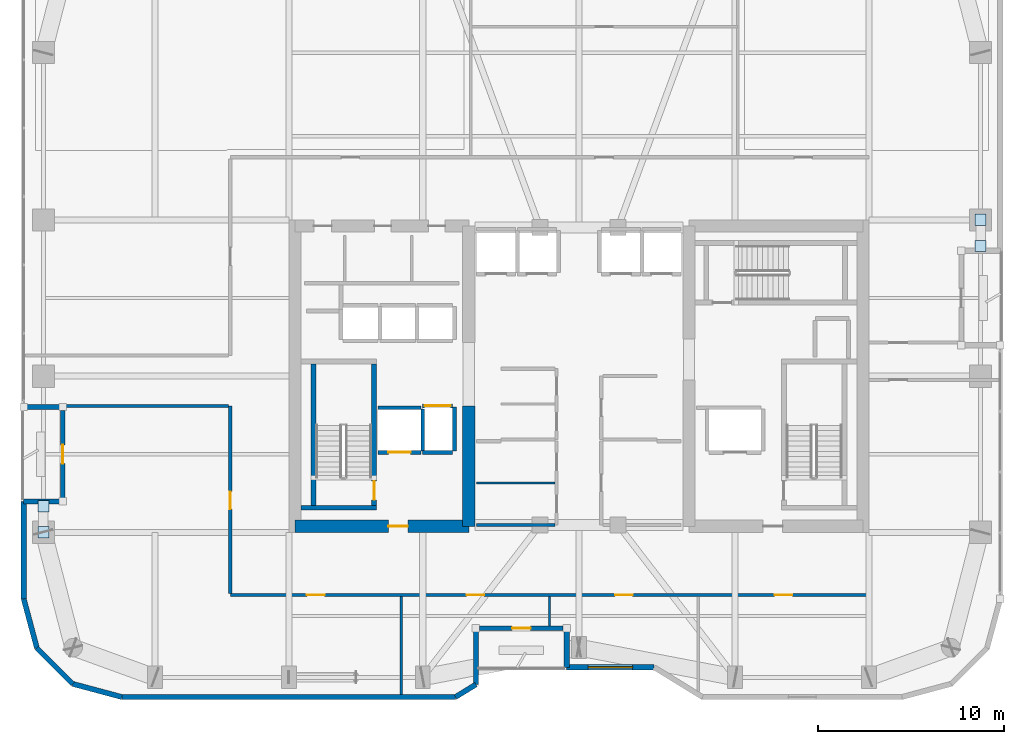
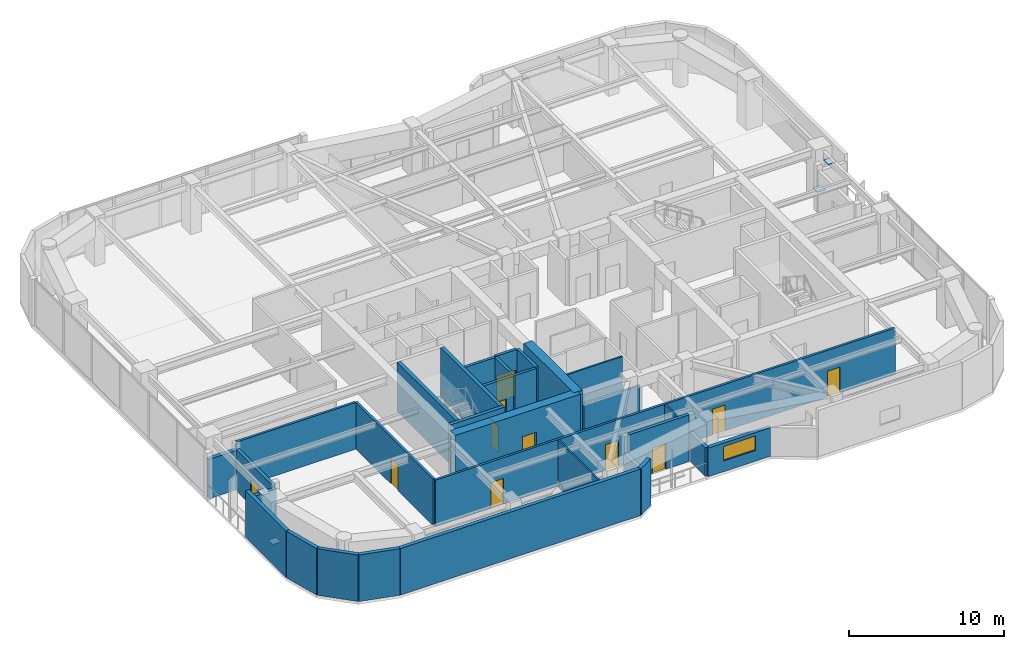
# One storey, part 24 of 30: 31 walls, 11 doors, 4 plates, 1 window, 12 openings.
"""IFC4 building model written with IfcOpenShell, lengths in metres."""

import ifcopenshell
import ifcopenshell.guid

model = None  # the IFC model being written
_history = None  # IfcOwnerHistory: only IFC2X3 demands one
_inside = {}  # id of a spatial element -> (the spatial element, [elements in it])
_under = {}  # id of a project, library or spatial element -> (it, [spatial elements below it])
_declared = {}  # id of a project -> (the project, [libraries it declares])
_typed = {}  # id of a type object -> (the type object, [elements of that type])
_made_of = {}  # id of a material, layer set ... -> (it, [elements and type objects made of it])


def new_model(schema):
    """Start an empty IFC model of exactly this schema.

    Asked for "IFC4X3", IfcOpenShell would pick the latest addendum, in which some entities
    have other attributes; the version numbers below select the first issue.
    IFC2X3 requires an IfcOwnerHistory on every rooted entity: one is made here for all.
    """
    global model, _history
    if schema == "IFC4X3":
        model = ifcopenshell.file(schema_version=(4, 3, 0, 0))
    else:
        model = ifcopenshell.file(schema=schema)
    _inside.clear()
    _under.clear()
    _declared.clear()
    _typed.clear()
    _made_of.clear()
    _history = None
    if model.schema == "IFC2X3":
        org = make("IfcOrganization", Name="unknown")
        user = make(
            "IfcPersonAndOrganization",
            ThePerson=make("IfcPerson", FamilyName="unknown"),
            TheOrganization=org,
        )
        app = make(
            "IfcApplication",
            ApplicationDeveloper=org,
            Version="unknown",
            ApplicationFullName="unknown",
            ApplicationIdentifier="unknown",
        )
        _history = make(
            "IfcOwnerHistory",
            OwningUser=user,
            OwningApplication=app,
            ChangeAction="ADDED",
            CreationDate=0,
        )
    return model


def make(cls, **values):
    """One entity of the class cls with the attributes given. An attribute that is None is left unset."""
    return model.create_entity(
        cls, **{name: value for name, value in values.items() if value is not None}
    )


def rooted(cls, **values):
    """An entity with a GlobalId (a new one), such as an element, a storey or a relation."""
    return make(cls, GlobalId=ifcopenshell.guid.new(), OwnerHistory=_history, **values)


def si_unit(unit_type, name, prefix=None):
    """IfcSIUnit, for example si_unit("LENGTHUNIT", "METRE", prefix="MILLI")."""
    return make("IfcSIUnit", UnitType=unit_type, Prefix=prefix, Name=name)


def assignment(units):
    """IfcUnitAssignment: the units of a project."""
    return None if units is None else make("IfcUnitAssignment", Units=units)


def point(xyz):
    """IfcCartesianPoint."""
    return None if xyz is None else make("IfcCartesianPoint", Coordinates=xyz)


def direction(xyz):
    """IfcDirection."""
    return None if xyz is None else make("IfcDirection", DirectionRatios=xyz)


def frame(location, z_axis=None, x_axis=None):
    """IfcAxis2Placement3D, a coordinate frame: its origin and axes. An axis left out is left unset."""
    return make(
        "IfcAxis2Placement3D",
        Location=point(location),
        Axis=direction(z_axis),
        RefDirection=direction(x_axis),
    )


def frame_2d(location, x_axis=None):
    """IfcAxis2Placement2D, a coordinate frame in the plane: its origin and x axis."""
    return make(
        "IfcAxis2Placement2D", Location=point(location), RefDirection=direction(x_axis)
    )


def origin():
    """The frame at (0, 0, 0) with its axes left unset."""
    return frame((0.0, 0.0, 0.0))


def origin_2d():
    """The frame at (0, 0) in the plane with its x axis left unset."""
    return frame_2d((0.0, 0.0))


def place(relative_to, where):
    """IfcLocalPlacement: puts the frame where relative to a parent placement (None: the world)."""
    return make(
        "IfcLocalPlacement", PlacementRelTo=relative_to, RelativePlacement=where
    )


def context(
    kind, dimensions, precision=None, world=None, true_north=None, identifier=None
):
    """IfcGeometricRepresentationContext, for example the 3D "Model" context."""
    return make(
        "IfcGeometricRepresentationContext",
        ContextIdentifier=identifier,
        ContextType=kind,
        CoordinateSpaceDimension=dimensions,
        Precision=precision,
        WorldCoordinateSystem=world,
        TrueNorth=true_north,
    )


def subcontext(parent, identifier, kind, view, scale=None):
    """IfcGeometricRepresentationSubContext, for example "Body" below "Model"."""
    return make(
        "IfcGeometricRepresentationSubContext",
        ContextIdentifier=identifier,
        ContextType=kind,
        ParentContext=parent,
        TargetScale=scale,
        TargetView=view,
    )


def project(units=None, contexts=None):
    """IfcProject with its units and contexts."""
    return rooted(
        "IfcProject",
        Name="project",
        RepresentationContexts=contexts,
        UnitsInContext=assignment(units),
    )


def spatial(cls, under=None, at=None, **own):
    """A site, building, storey or space (cls), placed at a placement, below another one or the project."""
    s = rooted(cls, ObjectPlacement=at, **own)
    if under is not None:
        _under.setdefault(under.id(), (under, []))[1].append(s)
    return s


def profile(cls, at=None, kind="AREA", **sizes):
    """A parametric profile (cls). Its sizes go by their IFC names, for example OverallWidth=200.0."""
    return make(cls, ProfileType=kind, Position=at, **sizes)


def rectangle(**sizes):
    """IfcRectangleProfileDef."""
    return profile("IfcRectangleProfileDef", **sizes)


def extrude(swept, where, along, depth):
    """IfcExtrudedAreaSolid: the profile swept, set in the frame where, extruded along a direction by depth."""
    return make(
        "IfcExtrudedAreaSolid",
        SweptArea=swept,
        Position=where,
        ExtrudedDirection=direction(along),
        Depth=depth,
    )


def shape(context_of_items, identifier, shape_type, items):
    """IfcShapeRepresentation: the items that make up one representation, for example the "Body"."""
    return make(
        "IfcShapeRepresentation",
        ContextOfItems=context_of_items,
        RepresentationIdentifier=identifier,
        RepresentationType=shape_type,
        Items=items,
    )


def material(Name=None, Category=None):
    """IfcMaterial."""
    return make("IfcMaterial", Name=Name, Category=Category)


def layer(
    of_material, thickness, ventilated=None, Name=None, Category=None, Priority=None
):
    """IfcMaterialLayer: one layer of a wall or slab, of a material (None: an air gap)."""
    return make(
        "IfcMaterialLayer",
        Material=of_material,
        LayerThickness=thickness,
        IsVentilated=ventilated,
        Name=Name,
        Category=Category,
        Priority=Priority,
    )


def layer_set(layers, Name=None):
    """IfcMaterialLayerSet."""
    return make("IfcMaterialLayerSet", MaterialLayers=layers, LayerSetName=Name)


def made_of(thing, what):
    """Note that an element or type object is made of a material, layer set ...; save() writes the relation."""
    if what is not None:
        _made_of.setdefault(what.id(), (what, []))[1].append(thing)
    return thing


def type_object(cls, material=None, **own):
    """A type object (cls), such as IfcWallType, which elements share."""
    return made_of(rooted(cls, **own), material)


def element(
    cls,
    number,
    at=None,
    inside=None,
    cuts=None,
    type_object=None,
    material=None,
    context=None,
    identifier="Body",
    shape_type=None,
    held_by="IfcProductDefinitionShape",
    body=None,
    shapes=None,
    **own,
):
    """One element of the class cls, such as IfcWall. Its Tag is "e" and its number.

    at: its placement. inside: the storey or other place that contains it. cuts: it is an
    opening in that element (IfcRelVoidsElement). A single representation is given by context,
    identifier, shape_type and body (its items); several are given by shapes. held_by: the class
    of the entity that holds the representations. save() writes the other relations.
    """
    e = rooted(cls, Tag="e%d" % number, ObjectPlacement=at, **own)
    if body is not None:
        shapes = [shape(context, identifier, shape_type, body)]
    if shapes is not None:
        e.Representation = make(held_by, Representations=shapes)
    if inside is not None:
        _inside.setdefault(inside.id(), (inside, []))[1].append(e)
    if cuts is not None:
        rooted(
            "IfcRelVoidsElement", RelatingBuildingElement=cuts, RelatedOpeningElement=e
        )
    if type_object is not None:
        _typed.setdefault(type_object.id(), (type_object, []))[1].append(e)
    return made_of(e, material)


def fill(opening, filler):
    """IfcRelFillsElement: the door or window that sits in an opening."""
    return rooted(
        "IfcRelFillsElement",
        RelatingOpeningElement=opening,
        RelatedBuildingElement=filler,
    )


def aggregate(whole, parts):
    """IfcRelAggregates: a whole, such as a stair, and the parts it consists of."""
    return rooted("IfcRelAggregates", RelatingObject=whole, RelatedObjects=parts)


def save(model, path):
    """Write the relations noted so far, then the file.

    IfcRelAggregates (storeys below a building ...), IfcRelContainedInSpatialStructure (elements
    in a storey), IfcRelDefinesByType, IfcRelAssociatesMaterial and IfcRelDeclares: one each for
    every whole, place, type object, material and project.
    """
    for whole, parts in _under.values():
        aggregate(whole, parts)
    for where, things in _inside.values():
        rooted(
            "IfcRelContainedInSpatialStructure",
            RelatedElements=things,
            RelatingStructure=where,
        )
    for kind, things in _typed.values():
        rooted("IfcRelDefinesByType", RelatedObjects=things, RelatingType=kind)
    for what, things in _made_of.values():
        rooted("IfcRelAssociatesMaterial", RelatedObjects=things, RelatingMaterial=what)
    for by, libraries in _declared.values():
        rooted("IfcRelDeclares", RelatingContext=by, RelatedDefinitions=libraries)
    model.write(path)


model = new_model("IFC4")

# Units and contexts
model_context = context("Model", 3, precision=1e-05, world=origin(), true_north=direction((0.0, 1.0)))
body_context = subcontext(model_context, "Body", "Model", "MODEL_VIEW")
ifc_project = project(units=[si_unit("LENGTHUNIT", "METRE"), si_unit("AREAUNIT", "SQUARE_METRE"), si_unit("VOLUMEUNIT", "CUBIC_METRE"), si_unit("PLANEANGLEUNIT", "RADIAN"), si_unit("MASSUNIT", "GRAM", prefix="KILO")], contexts=[model_context])

# Site, building, storey
site_placement = place(None, origin())
site = spatial("IfcSite", under=ifc_project, at=site_placement, CompositionType="ELEMENT")
building_placement = place(site_placement, origin())
building = spatial("IfcBuilding", under=site, at=building_placement, Name="Kiyonajd Concourse Tower", CompositionType="ELEMENT")
storey_placement = place(building_placement, frame((0.0, 0.0, 198.0)))
storey = spatial("IfcBuildingStorey", under=building, at=storey_placement, Name="L50", CompositionType="ELEMENT", Elevation=198.0)

# Plates
ifc_material_1 = material(Name="Steel ASTM A572 Grade 50", Category="steel")
ifc_layer_1 = layer(ifc_material_1, 0.028076171875)
ifc_layer_set_1 = layer_set([ifc_layer_1], Name="Steel ASTM A572 Grade 50")
plate_type = type_object("IfcPlateType", Name="PL-CAP-450", PredefinedType="USERDEFINED", material=ifc_layer_set_1)
for number, where, z_axis, x_axis, name in (
    (1, (19.199951171875, 27.595458984375, 0.27587890625), (0.0, 0.0, 1.0), (1.0, 0.0, 0.0), "L50 Hollow Brace End Cap Plate PBW"),
    (2, (19.199951171875, 29.004638671875, 3.326171875), (0.0, 0.0, 1.0), (1.0, 0.0, 0.0), "L50 Hollow Brace Top Cap Plate PBW"),
    (3, (69.60009765625, 44.404541015625, 0.27587890625), (0.0, 0.0, 1.0), (1.0, 0.0, 0.0), "L50 Hollow Brace End Cap Plate PBE"),
    (4, (69.60009765625, 42.995361328125, 3.326171875), (0.0, 0.0, 1.0), (1.0, 0.0, 0.0), "L50 Hollow Brace Top Cap Plate PBE"),
):
    element("IfcPlate", number, at=place(storey_placement, frame(where, z_axis=z_axis, x_axis=x_axis)), inside=storey, type_object=plate_type, Name=name, ObjectType="CAP PLATE", PredefinedType="USERDEFINED", context=body_context, shape_type="SweptSolid", body=[
        extrude(rectangle(XDim=0.60791015625, YDim=0.60791015625, at=origin_2d()), origin(), (0.0, 0.0, 1.0), 0.028076171875),
    ])

# Wall
ifc_material_2 = material(Name="Concrete C60/75", Category="concrete")
ifc_layer_2 = layer(ifc_material_2, 0.64990234375)
ifc_layer_set_2 = layer_set([ifc_layer_2], Name="Concrete C60/75")
wall_type_1 = type_object("IfcWallType", Name="WL-CORE-650", PredefinedType="SHEAR", material=ifc_layer_set_2)
wall_1_placement = place(storey_placement, frame((42.074951171875, 27.925048828125, 0.0), z_axis=(0.0, 0.0, 1.0), x_axis=(0.0, 1.0, 0.0)))
element("IfcWall", 5, at=wall_1_placement, inside=storey, type_object=wall_type_1, Name="L50 West Core Inner South Shear Wall", PredefinedType="SHEAR", context=body_context, shape_type="SweptSolid", body=[
    extrude(rectangle(XDim=6.474853515625, YDim=0.64990234375, at=frame_2d((3.2373046875, 0.0))), origin(), (0.0, 0.0, 1.0), 3.89990234375),
])

# Wall, opening, door
wall_2_placement = place(storey_placement, frame((32.72509765625, 27.925048828125, 0.0), z_axis=(0.0, 0.0, 1.0), x_axis=(1.0, 0.0, 0.0)))
wall_2 = element("IfcWall", 6, at=wall_2_placement, inside=storey, type_object=wall_type_1, Name="L50 West Core South Shear Wall", PredefinedType="SHEAR", context=body_context, shape_type="SweptSolid", body=[
    extrude(rectangle(XDim=9.349853515625, YDim=0.64990234375, at=frame_2d((4.6748046875, 0.0))), origin(), (0.0, 0.0, 1.0), 3.89990234375),
])
opening_1_placement = place(wall_2_placement, frame((5.02490234375, 0.0, 0.0)))
opening_1 = element("IfcOpeningElement", 7, at=opening_1_placement, cuts=wall_2, Name="Opening DF5", PredefinedType="OPENING", context=body_context, shape_type="SweptSolid", body=[
    extrude(rectangle(XDim=1.050048828125, YDim=2.0400390625, at=frame_2d((0.52490234375, 1.02001953125))), frame((0.0, 0.3349609375, 0.0), z_axis=(0.0, -1.0, 0.0), x_axis=(1.0, 0.0, 0.0)), (0.0, 0.0, 1.0), 0.669921875),
])
ifc_material_3 = material(Name="Brushed Stainless Steel Cab Assembly", Category="steel")
door_type_1 = type_object("IfcDoorType", Name="DR-FD45-1050", OperationType="NOTDEFINED", PredefinedType="DOOR", material=ifc_material_3)
door_1_placement = place(opening_1_placement, origin())
door_1 = element("IfcDoor", 8, at=door_1_placement, inside=storey, type_object=door_type_1, Name="L50 Firefighting Lift Lobby W Smoke Door", OperationType="SINGLE_SWING_LEFT", OverallHeight=2.0400390625, OverallWidth=1.050048828125, PredefinedType="DOOR", context=body_context, shape_type="SweptSolid", body=[
    extrude(rectangle(XDim=1.050048828125, YDim=2.0400390625, at=frame_2d((0.52490234375, 1.02001953125))), frame((0.0, 0.02490234375, 0.0), z_axis=(0.0, -1.0, 0.0), x_axis=(1.0, 0.0, 0.0)), (0.0, 0.0, 1.0), 0.050048828125),
])
fill(opening_1, door_1)

# Walls
ifc_material_4 = material(Name="Precast concrete C50/60", Category="concrete")
ifc_layer_3 = layer(ifc_material_4, 0.280029296875)
ifc_layer_set_3 = layer_set([ifc_layer_3], Name="Precast concrete C50/60")
wall_type_2 = type_object("IfcWallType", Name="WL-EXT-280", PredefinedType="SOLIDWALL", material=ifc_layer_set_3)
wall_3_placement = place(storey_placement, frame((18.848388671875, 21.37255859375, 0.0), z_axis=(0.0, 0.0, 1.0), x_axis=(-0.258672222976, 0.9659651552, 0.0)))
element("IfcWall", 9, at=wall_3_placement, inside=storey, type_object=wall_type_2, Name="L50 Exterior Concrete Frame Wall 00", PredefinedType="SOLIDWALL", context=body_context, shape_type="SweptSolid", body=[
    extrude(rectangle(XDim=2.739013671875, YDim=0.280029296875, at=frame_2d((1.36962890625, 0.0))), origin(), (0.0, 0.0, 1.0), 3.679931640625),
])
wall_4_placement = place(storey_placement, frame((18.139892578125, 24.018310546875, 0.0), z_axis=(0.0, 0.0, 1.0), x_axis=(0.0, 1.0, 0.0)))
element("IfcWall", 10, at=wall_4_placement, inside=storey, type_object=wall_type_2, Name="L50 Exterior Concrete Frame Wall 01", PredefinedType="SOLIDWALL", context=body_context, shape_type="SweptSolid", body=[
    extrude(rectangle(XDim=5.24169921875, YDim=0.280029296875, at=frame_2d((2.620849609375, 0.0))), origin(), (0.0, 0.0, 1.0), 3.679931640625),
])
for number, where, z_axis, x_axis, name in (
    (11, (18.139892578125, 29.260009765625, 0.0), (0.0, 0.0, 1.0), (1.0, 0.0, 0.0), "L50 Exterior Concrete Frame Wall 02"),
    (12, (20.239990234375, 34.340087890625, 0.0), (0.0, 0.0, 1.0), (-1.0, 0.0, 0.0), "L50 Exterior Concrete Frame Wall 04"),
):
    element("IfcWall", number, at=place(storey_placement, frame(where, z_axis=z_axis, x_axis=x_axis)), inside=storey, type_object=wall_type_2, Name=name, PredefinedType="SOLIDWALL", context=body_context, shape_type="SweptSolid", body=[
        extrude(rectangle(XDim=2.10009765625, YDim=0.280029296875, at=frame_2d((1.050048828125, 0.0))), origin(), (0.0, 0.0, 1.0), 3.115966796875),
    ])

# Wall, opening, window
wall_5_placement = place(storey_placement, frame((52.03955078125, 20.340087890625, 0.0), z_axis=(0.0, 0.0, 1.0), x_axis=(-1.0, 0.0, 0.0)))
wall_5 = element("IfcWall", 13, at=wall_5_placement, inside=storey, type_object=wall_type_2, Name="L50 Exterior Concrete Frame Wall 30", PredefinedType="SOLIDWALL", context=body_context, shape_type="SweptSolid", body=[
    extrude(rectangle(XDim=4.699462890625, YDim=0.280029296875, at=frame_2d((2.349609375, 0.0))), origin(), (0.0, 0.0, 1.0), 2.264892578125),
])
opening_2_placement = place(wall_5_placement, frame((1.14990234375, 0.0, 0.85009765625)))
opening_2 = element("IfcOpeningElement", 14, at=opening_2_placement, cuts=wall_5, Name="Opening WN4", PredefinedType="OPENING", context=body_context, shape_type="SweptSolid", body=[
    extrude(rectangle(XDim=2.39990234375, YDim=1.14990234375, at=frame_2d((1.199951171875, 0.574951171875))), frame((0.0, 0.14990234375, 0.0), z_axis=(0.0, -1.0, 0.0), x_axis=(1.0, 0.0, 0.0)), (0.0, 0.0, 1.0), 0.300048828125),
])
ifc_material_5 = material(Name="Double Low-E Insulated Glass", Category="glass")
window_type = type_object("IfcWindowType", Name="WN-VIS-2400x1150", PartitioningType="SINGLE_PANEL", PredefinedType="WINDOW", material=ifc_material_5)
window_placement = place(opening_2_placement, origin())
window = element("IfcWindow", 15, at=window_placement, inside=storey, type_object=window_type, Name="L50 Modular Facade Vision Window 30", OverallHeight=1.14990234375, OverallWidth=2.39990234375, PartitioningType="SINGLE_PANEL", PredefinedType="WINDOW", context=body_context, shape_type="SweptSolid", body=[
    extrude(rectangle(XDim=2.39990234375, YDim=1.14990234375, at=frame_2d((1.199951171875, 0.574951171875))), frame((0.0, 0.030029296875, 0.0), z_axis=(0.0, -1.0, 0.0), x_axis=(1.0, 0.0, 0.0)), (0.0, 0.0, 1.0), 0.06005859375),
])
fill(opening_2, window)

# Walls
wall_6_placement = place(storey_placement, frame((47.340087890625, 20.340087890625, 0.0), z_axis=(0.0, 0.0, 1.0), x_axis=(0.0, 1.0, 0.0)))
element("IfcWall", 16, at=wall_6_placement, inside=storey, type_object=wall_type_2, Name="L50 Exterior Concrete Frame Wall 31", PredefinedType="SOLIDWALL", context=body_context, shape_type="SweptSolid", body=[
    extrude(rectangle(XDim=2.099853515625, YDim=0.280029296875, at=frame_2d((1.0498046875, 0.0))), origin(), (0.0, 0.0, 1.0), 2.264892578125),
])
wall_7_placement = place(storey_placement, frame((42.4599609375, 22.43994140625, 0.0), z_axis=(0.0, 0.0, 1.0), x_axis=(0.0, -1.0, 0.0)))
element("IfcWall", 17, at=wall_7_placement, inside=storey, type_object=wall_type_2, Name="L50 Exterior Concrete Frame Wall 33", PredefinedType="SOLIDWALL", context=body_context, shape_type="SweptSolid", body=[
    extrude(rectangle(XDim=3.023681640625, YDim=0.280029296875, at=frame_2d((1.51171875, 0.0))), origin(), (0.0, 0.0, 1.0), 2.264892578125),
])
wall_8_placement = place(storey_placement, frame((42.4599609375, 19.416259765625, 0.0), z_axis=(0.0, 0.0, 1.0), x_axis=(-0.851801140441, -0.523865266212, 0.0)))
element("IfcWall", 18, at=wall_8_placement, inside=storey, type_object=wall_type_2, Name="L50 Exterior Concrete Frame Wall 34", PredefinedType="SOLIDWALL", context=body_context, shape_type="SweptSolid", body=[
    extrude(rectangle(XDim=1.291015625, YDim=0.280029296875, at=frame_2d((0.6455078125, 0.0))), origin(), (0.0, 0.0, 1.0), 3.679931640625),
])
wall_9_placement = place(storey_placement, frame((41.3603515625, 18.739990234375, 0.0), z_axis=(0.0, 0.0, 1.0), x_axis=(-1.0, 0.0, 0.0)))
element("IfcWall", 19, at=wall_9_placement, inside=storey, type_object=wall_type_2, Name="L50 Exterior Concrete Frame Wall 35", PredefinedType="SOLIDWALL", context=body_context, shape_type="SweptSolid", body=[
    extrude(rectangle(XDim=17.94189453125, YDim=0.280029296875, at=frame_2d((8.970947265625, 0.0))), origin(), (0.0, 0.0, 1.0), 3.679931640625),
])
wall_10_placement = place(storey_placement, frame((23.41845703125, 18.739990234375, 0.0), z_axis=(0.0, 0.0, 1.0), x_axis=(-0.965971118627, 0.258649952598, 0.0)))
element("IfcWall", 20, at=wall_10_placement, inside=storey, type_object=wall_type_2, Name="L50 Exterior Concrete Frame Wall 36", PredefinedType="SOLIDWALL", context=body_context, shape_type="SweptSolid", body=[
    extrude(rectangle(XDim=2.7392578125, YDim=0.280029296875, at=frame_2d((1.36962890625, 0.0))), origin(), (0.0, 0.0, 1.0), 3.679931640625),
])
wall_11_placement = place(storey_placement, frame((20.7724609375, 19.448486328125, 0.0), z_axis=(0.0, 0.0, 1.0), x_axis=(-0.707106781187, 0.707106781187, 0.0)))
element("IfcWall", 21, at=wall_11_placement, inside=storey, type_object=wall_type_2, Name="L50 Exterior Concrete Frame Wall 37", PredefinedType="SOLIDWALL", context=body_context, shape_type="SweptSolid", body=[
    extrude(rectangle(XDim=2.720947265625, YDim=0.280029296875, at=frame_2d((1.3603515625, 0.0))), origin(), (0.0, 0.0, 1.0), 3.679931640625),
])

# Wall, opening, door
ifc_layer_4 = layer(ifc_material_4, 0.239990234375)
ifc_layer_set_4 = layer_set([ifc_layer_4], Name="Precast concrete C50/60")
wall_type_3 = type_object("IfcWallType", Name="WL-LOG-240", PredefinedType="SOLIDWALL", material=ifc_layer_set_4)
wall_12_placement = place(storey_placement, frame((20.239990234375, 29.455078125, 0.0), z_axis=(0.0, 0.0, 1.0), x_axis=(0.0, 1.0, 0.0)))
wall_12 = element("IfcWall", 22, at=wall_12_placement, inside=storey, type_object=wall_type_3, Name="L50 Recessed Loggia Thermal Wall LOG-W", PredefinedType="SOLIDWALL", context=body_context, shape_type="SweptSolid", body=[
    extrude(rectangle(XDim=4.68994140625, YDim=0.239990234375, at=frame_2d((2.344970703125, 0.0))), origin(), (0.0, 0.0, 1.0), 3.248046875),
])
opening_3_placement = place(wall_12_placement, frame((1.844970703125, 0.0, 0.0)))
opening_3 = element("IfcOpeningElement", 23, at=opening_3_placement, cuts=wall_12, Name="Opening DL1", PredefinedType="OPENING", context=body_context, shape_type="SweptSolid", body=[
    extrude(rectangle(XDim=1.0, YDim=2.02001953125, at=frame_2d((0.5, 1.010009765625))), frame((0.0, 0.1298828125, 0.0), z_axis=(0.0, -1.0, 0.0), x_axis=(1.0, 0.0, 0.0)), (0.0, 0.0, 1.0), 0.260009765625),
])
ifc_material_6 = material(Name="Thermally Broken Anodised Aluminium", Category="aluminium")
door_type_2 = type_object("IfcDoorType", Name="DR-LOG-1000", OperationType="NOTDEFINED", PredefinedType="DOOR", material=ifc_material_6)
door_2_placement = place(opening_3_placement, origin())
door_2 = element("IfcDoor", 24, at=door_2_placement, inside=storey, type_object=door_type_2, Name="L50 Engawa Loggia Access Door LOG-W", OperationType="SINGLE_SWING_LEFT", OverallHeight=2.02001953125, OverallWidth=1.0, PredefinedType="DOOR", context=body_context, shape_type="SweptSolid", body=[
    extrude(rectangle(XDim=1.0, YDim=2.02001953125, at=frame_2d((0.5, 1.010009765625))), frame((0.0, 0.02490234375, 0.0), z_axis=(0.0, -1.0, 0.0), x_axis=(1.0, 0.0, 0.0)), (0.0, 0.0, 1.0), 0.050048828125),
])
fill(opening_3, door_2)

wall_13_placement = place(storey_placement, frame((47.14501953125, 22.43994140625, 0.0), z_axis=(0.0, 0.0, 1.0), x_axis=(-1.0, 0.0, 0.0)))
wall_13 = element("IfcWall", 25, at=wall_13_placement, inside=storey, type_object=wall_type_3, Name="L50 Recessed Loggia Thermal Wall LOG-S", PredefinedType="SOLIDWALL", context=body_context, shape_type="SweptSolid", body=[
    extrude(rectangle(XDim=4.489990234375, YDim=0.239990234375, at=frame_2d((2.2451171875, 0.0))), origin(), (0.0, 0.0, 1.0), 3.679931640625),
])
opening_4_placement = place(wall_13_placement, frame((1.7451171875, 0.0, 0.0)))
opening_4 = element("IfcOpeningElement", 26, at=opening_4_placement, cuts=wall_13, Name="Opening DL1", PredefinedType="OPENING", context=body_context, shape_type="SweptSolid", body=[
    extrude(rectangle(XDim=1.0, YDim=2.02001953125, at=frame_2d((0.5, 1.010009765625))), frame((0.0, 0.1298828125, 0.0), z_axis=(0.0, -1.0, 0.0), x_axis=(1.0, 0.0, 0.0)), (0.0, 0.0, 1.0), 0.260009765625),
])
door_3_placement = place(opening_4_placement, origin())
door_3 = element("IfcDoor", 27, at=door_3_placement, inside=storey, type_object=door_type_2, Name="L50 Engawa Loggia Access Door LOG-S", OperationType="SINGLE_SWING_RIGHT", OverallHeight=2.02001953125, OverallWidth=1.0, PredefinedType="DOOR", context=body_context, shape_type="SweptSolid", body=[
    extrude(rectangle(XDim=1.0, YDim=2.02001953125, at=frame_2d((0.5, 1.010009765625))), frame((0.0, 0.02490234375, 0.0), z_axis=(0.0, -1.0, 0.0), x_axis=(1.0, 0.0, 0.0)), (0.0, 0.0, 1.0), 0.050048828125),
])
fill(opening_4, door_3)

# Walls
ifc_material_7 = material(Name="Gypsum Board on Cold-Formed Steel Stud", Category="steel")
ifc_layer_5 = layer(ifc_material_7, 0.125)
ifc_layer_set_5 = layer_set([ifc_layer_5], Name="Gypsum Board on Cold-Formed Steel Stud")
wall_type_4 = type_object("IfcWallType", Name="WL-PART-125", PredefinedType="PARTITIONING", material=ifc_layer_set_5)
wall_14_placement = place(storey_placement, frame((42.5, 30.25, 0.0), z_axis=(0.0, 0.0, 1.0), x_axis=(1.0, 0.0, 0.0)))
element("IfcWall", 28, at=wall_14_placement, inside=storey, type_object=wall_type_4, Name="L50 Interior Partition Wall", PredefinedType="PARTITIONING", context=body_context, shape_type="SweptSolid", body=[
    extrude(rectangle(XDim=4.212890625, YDim=0.125, at=frame_2d((2.1064453125, 0.0))), origin(), (0.0, 0.0, 1.0), 3.679931640625),
])
wall_15_placement = place(storey_placement, frame((38.43994140625, 18.875, 0.0), z_axis=(0.0, 0.0, 1.0), x_axis=(0.0, 1.0, 0.0)))
element("IfcWall", 29, at=wall_15_placement, inside=storey, type_object=wall_type_4, Name="L50 Interior Partition Wall", PredefinedType="PARTITIONING", context=body_context, shape_type="SweptSolid", body=[
    extrude(rectangle(XDim=5.26806640625, YDim=0.125, at=frame_2d((2.634033203125, 0.0))), origin(), (0.0, 0.0, 1.0), 3.679931640625),
])
wall_16_placement = place(storey_placement, frame((46.419921875, 22.554931640625, 0.0), z_axis=(0.0, 0.0, 1.0), x_axis=(0.0, 1.0, 0.0)))
element("IfcWall", 30, at=wall_16_placement, inside=storey, type_object=wall_type_4, Name="L50 Interior Partition Wall", PredefinedType="PARTITIONING", context=body_context, shape_type="SweptSolid", body=[
    extrude(rectangle(XDim=1.588134765625, YDim=0.125, at=frame_2d((0.7939453125, 0.0))), origin(), (0.0, 0.0, 1.0), 3.679931640625),
])

# Wall, opening, door
ifc_layer_6 = layer(ifc_material_7, 0.2099609375)
ifc_layer_set_6 = layer_set([ifc_layer_6], Name="Gypsum Board on Cold-Formed Steel Stud")
wall_type_5 = type_object("IfcWallType", Name="WL-SHAFT-210", PredefinedType="PARTITIONING", material=ifc_layer_set_6)
wall_17_placement = place(storey_placement, frame((37.199951171875, 31.89990234375, 0.0), z_axis=(0.0, 0.0, 1.0), x_axis=(1.0, 0.0, 0.0)))
wall_17 = element("IfcWall", 31, at=wall_17_placement, inside=storey, type_object=wall_type_5, Name="L50 Shaft Enclosure Wall", PredefinedType="PARTITIONING", context=body_context, shape_type="SweptSolid", body=[
    extrude(rectangle(XDim=2.300048828125, YDim=0.2099609375, at=frame_2d((1.14990234375, 0.0))), origin(), (0.0, 0.0, 1.0), 3.679931640625),
])
opening_5_placement = place(wall_17_placement, frame((0.550048828125, 0.0, 0.0)))
opening_5 = element("IfcOpeningElement", 32, at=opening_5_placement, cuts=wall_17, Name="Opening LD2", PredefinedType="OPENING", context=body_context, shape_type="SweptSolid", body=[
    extrude(rectangle(XDim=1.199951171875, YDim=2.0400390625, at=frame_2d((0.60009765625, 1.02001953125))), frame((0.0, 0.114990234375, 0.0), z_axis=(0.0, -1.0, 0.0), x_axis=(1.0, 0.0, 0.0)), (0.0, 0.0, 1.0), 0.22998046875),
])
door_type_3 = type_object("IfcDoorType", Name="DR-LD-1200", OperationType="DOUBLE_DOOR_SLIDING", PredefinedType="DOOR", material=ifc_material_3)
door_4_placement = place(opening_5_placement, origin())
door_4 = element("IfcDoor", 33, at=door_4_placement, inside=storey, type_object=door_type_3, Name="L50 Lift FFL1 Sliding Landing Door", OperationType="DOUBLE_DOOR_SLIDING", OverallHeight=2.0400390625, OverallWidth=1.199951171875, PredefinedType="DOOR", context=body_context, shape_type="SweptSolid", body=[
    extrude(rectangle(XDim=1.199951171875, YDim=2.0400390625, at=frame_2d((0.60009765625, 1.02001953125))), frame((0.0, 0.02490234375, 0.0), z_axis=(0.0, -1.0, 0.0), x_axis=(1.0, 0.0, 0.0)), (0.0, 0.0, 1.0), 0.050048828125),
])
fill(opening_5, door_4)

# Walls
wall_18_placement = place(storey_placement, frame((37.199951171875, 34.300048828125, 0.0), z_axis=(0.0, 0.0, 1.0), x_axis=(1.0, 0.0, 0.0)))
element("IfcWall", 34, at=wall_18_placement, inside=storey, type_object=wall_type_5, Name="L50 Shaft Enclosure Wall", PredefinedType="PARTITIONING", context=body_context, shape_type="SweptSolid", body=[
    extrude(rectangle(XDim=2.300048828125, YDim=0.2099609375, at=frame_2d((1.14990234375, 0.0))), origin(), (0.0, 0.0, 1.0), 3.679931640625),
])
wall_19_placement = place(storey_placement, frame((39.60009765625, 31.9599609375, 0.0), z_axis=(0.0, 0.0, 1.0), x_axis=(0.0, 1.0, 0.0)))
element("IfcWall", 35, at=wall_19_placement, inside=storey, type_object=wall_type_5, Name="L50 Shaft Enclosure Wall", PredefinedType="PARTITIONING", context=body_context, shape_type="SweptSolid", body=[
    extrude(rectangle(XDim=2.280029296875, YDim=0.2099609375, at=frame_2d((1.14013671875, 0.0))), origin(), (0.0, 0.0, 1.0), 3.679931640625),
])

# Wall, opening, door
wall_20_placement = place(storey_placement, frame((39.60009765625, 34.39990234375, 0.0), z_axis=(0.0, 0.0, 1.0), x_axis=(1.0, 0.0, 0.0)))
wall_20 = element("IfcWall", 36, at=wall_20_placement, inside=storey, type_object=wall_type_5, Name="L50 Shaft Enclosure Wall", PredefinedType="PARTITIONING", context=body_context, shape_type="SweptSolid", body=[
    extrude(rectangle(XDim=1.599853515625, YDim=0.2099609375, at=frame_2d((0.7998046875, 0.0))), origin(), (0.0, 0.0, 1.0), 3.679931640625),
])
opening_6_placement = place(wall_20_placement, frame((0.10009765625, 0.0, 0.0)))
opening_6 = element("IfcOpeningElement", 37, at=opening_6_placement, cuts=wall_20, Name="Opening LD3", PredefinedType="OPENING", context=body_context, shape_type="SweptSolid", body=[
    extrude(rectangle(XDim=1.39990234375, YDim=2.06005859375, at=frame_2d((0.699951171875, 1.030029296875))), frame((0.0, 0.114990234375, 0.0), z_axis=(0.0, -1.0, 0.0), x_axis=(1.0, 0.0, 0.0)), (0.0, 0.0, 1.0), 0.22998046875),
])
door_type_4 = type_object("IfcDoorType", Name="DR-LD-1400", OperationType="DOUBLE_DOOR_SLIDING", PredefinedType="DOOR", material=ifc_material_3)
door_5_placement = place(opening_6_placement, origin())
door_5 = element("IfcDoor", 38, at=door_5_placement, inside=storey, type_object=door_type_4, Name="L50 Lift SVL1 Sliding Landing Door", OperationType="DOUBLE_DOOR_SLIDING", OverallHeight=2.06005859375, OverallWidth=1.39990234375, PredefinedType="DOOR", context=body_context, shape_type="SweptSolid", body=[
    extrude(rectangle(XDim=1.39990234375, YDim=2.06005859375, at=frame_2d((0.699951171875, 1.030029296875))), frame((0.0, 0.02490234375, 0.0), z_axis=(0.0, -1.0, 0.0), x_axis=(1.0, 0.0, 0.0)), (0.0, 0.0, 1.0), 0.050048828125),
])
fill(opening_6, door_5)

# Walls
wall_21_placement = place(storey_placement, frame((39.60009765625, 31.89990234375, 0.0), z_axis=(0.0, 0.0, 1.0), x_axis=(1.0, 0.0, 0.0)))
element("IfcWall", 39, at=wall_21_placement, inside=storey, type_object=wall_type_5, Name="L50 Shaft Enclosure Wall", PredefinedType="PARTITIONING", context=body_context, shape_type="SweptSolid", body=[
    extrude(rectangle(XDim=1.599853515625, YDim=0.2099609375, at=frame_2d((0.7998046875, 0.0))), origin(), (0.0, 0.0, 1.0), 3.679931640625),
])
wall_22_placement = place(storey_placement, frame((41.300048828125, 31.9599609375, 0.0), z_axis=(0.0, 0.0, 1.0), x_axis=(0.0, 1.0, 0.0)))
element("IfcWall", 40, at=wall_22_placement, inside=storey, type_object=wall_type_5, Name="L50 Shaft Enclosure Wall", PredefinedType="PARTITIONING", context=body_context, shape_type="SweptSolid", body=[
    extrude(rectangle(XDim=2.380126953125, YDim=0.2099609375, at=frame_2d((1.18994140625, 0.0))), origin(), (0.0, 0.0, 1.0), 3.679931640625),
])
ifc_layer_7 = layer(ifc_material_7, 0.169921875)
ifc_layer_set_7 = layer_set([ifc_layer_7], Name="Gypsum Board on Cold-Formed Steel Stud")
wall_type_6 = type_object("IfcWallType", Name="WL-SMK-170", PredefinedType="PARTITIONING", material=ifc_layer_set_7)
wall_23_placement = place(storey_placement, frame((42.5, 28.0, 0.0), z_axis=(0.0, 0.0, 1.0), x_axis=(1.0, 0.0, 0.0)))
element("IfcWall", 41, at=wall_23_placement, inside=storey, type_object=wall_type_6, Name="L50 Interior Partition Wall", PredefinedType="PARTITIONING", context=body_context, shape_type="SweptSolid", body=[
    extrude(rectangle(XDim=4.212890625, YDim=0.169921875, at=frame_2d((2.1064453125, 0.0))), origin(), (0.0, 0.0, 1.0), 2.764892578125),
])

# Wall, openings, doors
wall_24_placement = place(storey_placement, frame((29.25, 24.22998046875, 0.0), z_axis=(0.0, 0.0, 1.0), x_axis=(1.0, 0.0, 0.0)))
wall_24 = element("IfcWall", 42, at=wall_24_placement, inside=storey, type_object=wall_type_6, Name="L50 Interior Partition Wall", PredefinedType="PARTITIONING", context=body_context, shape_type="SweptSolid", body=[
    extrude(rectangle(XDim=34.35009765625, YDim=0.169921875, at=frame_2d((17.175048828125, 0.0))), origin(), (0.0, 0.0, 1.0), 3.679931640625),
])
opening_7_placement = place(wall_24_placement, frame((4.1201171875, 0.0, 0.0)))
opening_7 = element("IfcOpeningElement", 43, at=opening_7_placement, cuts=wall_24, Name="Opening DI1", PredefinedType="OPENING", context=body_context, shape_type="SweptSolid", body=[
    extrude(rectangle(XDim=0.949951171875, YDim=2.0400390625, at=frame_2d((0.47509765625, 1.02001953125))), frame((0.0, 0.094970703125, 0.0), z_axis=(0.0, -1.0, 0.0), x_axis=(1.0, 0.0, 0.0)), (0.0, 0.0, 1.0), 0.18994140625),
])
opening_8_placement = place(wall_24_placement, frame((12.705078125, 0.0, 0.0)))
opening_8 = element("IfcOpeningElement", 44, at=opening_8_placement, cuts=wall_24, Name="Opening DI1", PredefinedType="OPENING", context=body_context, shape_type="SweptSolid", body=[
    extrude(rectangle(XDim=0.949951171875, YDim=2.0400390625, at=frame_2d((0.47509765625, 1.02001953125))), frame((0.0, 0.094970703125, 0.0), z_axis=(0.0, -1.0, 0.0), x_axis=(1.0, 0.0, 0.0)), (0.0, 0.0, 1.0), 0.18994140625),
])
opening_9_placement = place(wall_24_placement, frame((20.68994140625, 0.0, 0.0)))
opening_9 = element("IfcOpeningElement", 45, at=opening_9_placement, cuts=wall_24, Name="Opening DI1", PredefinedType="OPENING", context=body_context, shape_type="SweptSolid", body=[
    extrude(rectangle(XDim=0.949951171875, YDim=2.0400390625, at=frame_2d((0.47509765625, 1.02001953125))), frame((0.0, 0.094970703125, 0.0), z_axis=(0.0, -1.0, 0.0), x_axis=(1.0, 0.0, 0.0)), (0.0, 0.0, 1.0), 0.18994140625),
])
opening_10_placement = place(wall_24_placement, frame((29.280029296875, 0.0, 0.0)))
opening_10 = element("IfcOpeningElement", 46, at=opening_10_placement, cuts=wall_24, Name="Opening DI1", PredefinedType="OPENING", context=body_context, shape_type="SweptSolid", body=[
    extrude(rectangle(XDim=0.949951171875, YDim=2.0400390625, at=frame_2d((0.47509765625, 1.02001953125))), frame((0.0, 0.094970703125, 0.0), z_axis=(0.0, -1.0, 0.0), x_axis=(1.0, 0.0, 0.0)), (0.0, 0.0, 1.0), 0.18994140625),
])
ifc_material_8 = material(Name="Natural Oak Acoustic Timber Veneer", Category="wood")
door_type_5 = type_object("IfcDoorType", Name="DR-INT-950", OperationType="NOTDEFINED", PredefinedType="DOOR", material=ifc_material_8)
door_6_placement = place(opening_7_placement, origin())
door_6 = element("IfcDoor", 47, at=door_6_placement, inside=storey, type_object=door_type_5, Name="L50 Interior Door", OperationType="SINGLE_SWING_RIGHT", OverallHeight=2.0400390625, OverallWidth=0.949951171875, PredefinedType="DOOR", context=body_context, shape_type="SweptSolid", body=[
    extrude(rectangle(XDim=0.949951171875, YDim=2.0400390625, at=frame_2d((0.47509765625, 1.02001953125))), frame((0.0, 0.02490234375, 0.0), z_axis=(0.0, -1.0, 0.0), x_axis=(1.0, 0.0, 0.0)), (0.0, 0.0, 1.0), 0.050048828125),
])
fill(opening_7, door_6)
door_7_placement = place(opening_8_placement, origin())
door_7 = element("IfcDoor", 48, at=door_7_placement, inside=storey, type_object=door_type_5, Name="L50 Interior Door", OperationType="SINGLE_SWING_LEFT", OverallHeight=2.0400390625, OverallWidth=0.949951171875, PredefinedType="DOOR", context=body_context, shape_type="SweptSolid", body=[
    extrude(rectangle(XDim=0.949951171875, YDim=2.0400390625, at=frame_2d((0.47509765625, 1.02001953125))), frame((0.0, 0.02490234375, 0.0), z_axis=(0.0, -1.0, 0.0), x_axis=(1.0, 0.0, 0.0)), (0.0, 0.0, 1.0), 0.050048828125),
])
fill(opening_8, door_7)
door_8_placement = place(opening_9_placement, origin())
door_8 = element("IfcDoor", 49, at=door_8_placement, inside=storey, type_object=door_type_5, Name="L50 Interior Door", OperationType="SINGLE_SWING_RIGHT", OverallHeight=2.0400390625, OverallWidth=0.949951171875, PredefinedType="DOOR", context=body_context, shape_type="SweptSolid", body=[
    extrude(rectangle(XDim=0.949951171875, YDim=2.0400390625, at=frame_2d((0.47509765625, 1.02001953125))), frame((0.0, 0.02490234375, 0.0), z_axis=(0.0, -1.0, 0.0), x_axis=(1.0, 0.0, 0.0)), (0.0, 0.0, 1.0), 0.050048828125),
])
fill(opening_9, door_8)
door_9_placement = place(opening_10_placement, origin())
door_9 = element("IfcDoor", 50, at=door_9_placement, inside=storey, type_object=door_type_5, Name="L50 Interior Door", OperationType="SINGLE_SWING_LEFT", OverallHeight=2.0400390625, OverallWidth=0.949951171875, PredefinedType="DOOR", context=body_context, shape_type="SweptSolid", body=[
    extrude(rectangle(XDim=0.949951171875, YDim=2.0400390625, at=frame_2d((0.47509765625, 1.02001953125))), frame((0.0, 0.02490234375, 0.0), z_axis=(0.0, -1.0, 0.0), x_axis=(1.0, 0.0, 0.0)), (0.0, 0.0, 1.0), 0.050048828125),
])
fill(opening_10, door_9)

# Wall, opening, door
wall_25_placement = place(storey_placement, frame((29.25, 24.31689453125, 0.0), z_axis=(0.0, 0.0, 1.0), x_axis=(0.0, 1.0, 0.0)))
wall_25 = element("IfcWall", 51, at=wall_25_placement, inside=storey, type_object=wall_type_6, Name="L50 Interior Partition Wall", PredefinedType="PARTITIONING", context=body_context, shape_type="SweptSolid", body=[
    extrude(rectangle(XDim=10.0830078125, YDim=0.169921875, at=frame_2d((5.04150390625, 0.0))), origin(), (0.0, 0.0, 1.0), 3.679931640625),
])
opening_11_placement = place(wall_25_placement, frame((4.52294921875, 0.0, 0.0)))
opening_11 = element("IfcOpeningElement", 52, at=opening_11_placement, cuts=wall_25, Name="Opening DI1", PredefinedType="OPENING", context=body_context, shape_type="SweptSolid", body=[
    extrude(rectangle(XDim=0.949951171875, YDim=2.0400390625, at=frame_2d((0.47509765625, 1.02001953125))), frame((0.0, 0.094970703125, 0.0), z_axis=(0.0, -1.0, 0.0), x_axis=(1.0, 0.0, 0.0)), (0.0, 0.0, 1.0), 0.18994140625),
])
door_10_placement = place(opening_11_placement, origin())
door_10 = element("IfcDoor", 53, at=door_10_placement, inside=storey, type_object=door_type_5, Name="L50 Interior Door", OperationType="SINGLE_SWING_RIGHT", OverallHeight=2.0400390625, OverallWidth=0.949951171875, PredefinedType="DOOR", context=body_context, shape_type="SweptSolid", body=[
    extrude(rectangle(XDim=0.949951171875, YDim=2.0400390625, at=frame_2d((0.47509765625, 1.02001953125))), frame((0.0, 0.02490234375, 0.0), z_axis=(0.0, -1.0, 0.0), x_axis=(1.0, 0.0, 0.0)), (0.0, 0.0, 1.0), 0.050048828125),
])
fill(opening_11, door_10)

# Walls
wall_26_placement = place(storey_placement, frame((20.239990234375, 34.39990234375, 0.0), z_axis=(0.0, 0.0, 1.0), x_axis=(1.0, 0.0, 0.0)))
element("IfcWall", 54, at=wall_26_placement, inside=storey, type_object=wall_type_6, Name="L50 Interior Partition Wall", PredefinedType="PARTITIONING", context=body_context, shape_type="SweptSolid", body=[
    extrude(rectangle(XDim=8.923095703125, YDim=0.169921875, at=frame_2d((4.46142578125, 0.0))), origin(), (0.0, 0.0, 1.0), 3.679931640625),
])
ifc_material_9 = material(Name="Concrete C50/60", Category="concrete")
ifc_layer_8 = layer(ifc_material_9, 0.260009765625)
ifc_layer_set_8 = layer_set([ifc_layer_8], Name="Concrete C50/60")
wall_type_7 = type_object("IfcWallType", Name="WL-STAIR-260", PredefinedType="SHEAR", material=ifc_layer_set_8)
wall_27_placement = place(storey_placement, frame((33.050048828125, 28.919921875, 0.0), z_axis=(0.0, 0.0, 1.0), x_axis=(1.0, 0.0, 0.0)))
element("IfcWall", 55, at=wall_27_placement, inside=storey, type_object=wall_type_7, Name="L50 Stair ST1 Structural South Wall", PredefinedType="SHEAR", context=body_context, shape_type="SweptSolid", body=[
    extrude(rectangle(XDim=4.06005859375, YDim=0.260009765625, at=frame_2d((2.030029296875, 0.0))), origin(), (0.0, 0.0, 1.0), 3.89990234375),
])
wall_28_placement = place(storey_placement, frame((33.719970703125, 29.050048828125, 0.0), z_axis=(0.0, 0.0, 1.0), x_axis=(0.0, 1.0, 0.0)))
element("IfcWall", 56, at=wall_28_placement, inside=storey, type_object=wall_type_7, Name="L50 Stair ST1 Structural West Wall", PredefinedType="SHEAR", context=body_context, shape_type="SweptSolid", body=[
    extrude(rectangle(XDim=7.599853515625, YDim=0.260009765625, at=frame_2d((3.7998046875, 0.0))), origin(), (0.0, 0.0, 1.0), 3.89990234375),
])

# Wall, opening, door
wall_29_placement = place(storey_placement, frame((36.97998046875, 29.050048828125, 0.0), z_axis=(0.0, 0.0, 1.0), x_axis=(0.0, 1.0, 0.0)))
wall_29 = element("IfcWall", 57, at=wall_29_placement, inside=storey, type_object=wall_type_7, Name="L50 Stair ST1 Structural East Wall", PredefinedType="SHEAR", context=body_context, shape_type="SweptSolid", body=[
    extrude(rectangle(XDim=7.599853515625, YDim=0.260009765625, at=frame_2d((3.7998046875, 0.0))), origin(), (0.0, 0.0, 1.0), 3.89990234375),
])
opening_12_placement = place(wall_29_placement, frame((0.300048828125, 0.0, 0.0)))
opening_12 = element("IfcOpeningElement", 58, at=opening_12_placement, cuts=wall_29, Name="Opening DF1", PredefinedType="OPENING", context=body_context, shape_type="SweptSolid", body=[
    extrude(rectangle(XDim=1.0, YDim=2.0400390625, at=frame_2d((0.5, 1.02001953125))), frame((0.0, 0.139892578125, 0.0), z_axis=(0.0, -1.0, 0.0), x_axis=(1.0, 0.0, 0.0)), (0.0, 0.0, 1.0), 0.280029296875),
])
door_type_6 = type_object("IfcDoorType", Name="DR-FD90-1000", OperationType="NOTDEFINED", PredefinedType="DOOR", material=ifc_material_3)
door_11_placement = place(opening_12_placement, origin())
door_11 = element("IfcDoor", 59, at=door_11_placement, inside=storey, type_object=door_type_6, Name="L50 Stair ST1 FSAE Door", OperationType="SINGLE_SWING_LEFT", OverallHeight=2.0400390625, OverallWidth=1.0, PredefinedType="DOOR", context=body_context, shape_type="SweptSolid", body=[
    extrude(rectangle(XDim=1.0, YDim=2.0400390625, at=frame_2d((0.5, 1.02001953125))), frame((0.0, 0.02490234375, 0.0), z_axis=(0.0, -1.0, 0.0), x_axis=(1.0, 0.0, 0.0)), (0.0, 0.0, 1.0), 0.050048828125),
])
fill(opening_12, door_11)

save(model, "model.ifc")
